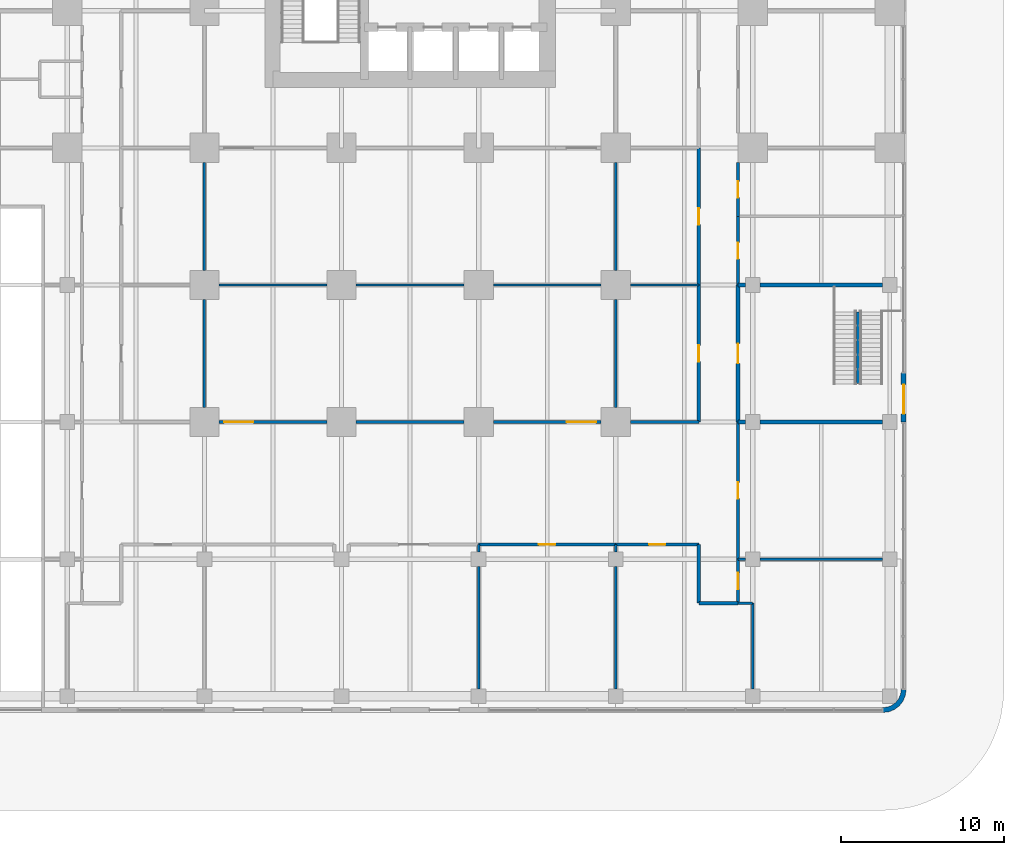
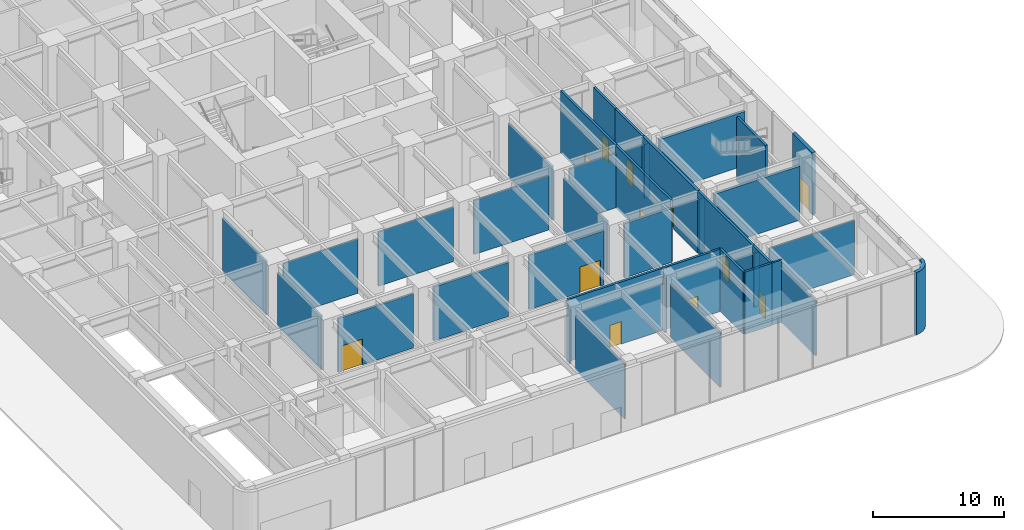
# One storey, part 11 of 21: 38 walls, 12 doors, 12 openings.
"""IFC4 building model written with IfcOpenShell, lengths in metres."""

from ifc_helpers import new_model, si_unit, direction, frame, frame_2d, origin, place, context, subcontext, project, spatial, polyline, rectangle, outline, extrude, material, layer, layer_set, type_object, element, fill, save


model = new_model("IFC4")

# Units and contexts
model_context = context("Model", 3, precision=1e-05, world=origin(), true_north=direction((0.0, 1.0)))
body_context = subcontext(model_context, "Body", "Model", "MODEL_VIEW")
ifc_project = project(units=[si_unit("LENGTHUNIT", "METRE"), si_unit("AREAUNIT", "SQUARE_METRE"), si_unit("VOLUMEUNIT", "CUBIC_METRE"), si_unit("PLANEANGLEUNIT", "RADIAN"), si_unit("MASSUNIT", "GRAM", prefix="KILO")], contexts=[model_context])

# Site, building, storey
site_placement = place(None, origin())
site = spatial("IfcSite", under=ifc_project, at=site_placement, CompositionType="ELEMENT")
building_placement = place(site_placement, origin())
building = spatial("IfcBuilding", under=site, at=building_placement, Name="Torre Alcanfor", CompositionType="ELEMENT")
storey_placement = place(building_placement, origin())
storey = spatial("IfcBuildingStorey", under=building, at=storey_placement, Name="L00", CompositionType="ELEMENT", Elevation=0.0)

# Walls
ifc_material_1 = material(Name="Concrete block masonry, hollow blocks NMX-C-404 9 MPa", Category="masonry")
ifc_layer_1 = layer(ifc_material_1, 0.14990234375)
ifc_layer_set_1 = layer_set([ifc_layer_1], Name="Classroom partition 150")
wall_type_1 = type_object("IfcWallType", Name="Classroom partition 150", PredefinedType="PARTITIONING", material=ifc_layer_set_1)
wall_1_placement = place(storey_placement, frame((49.5, -11.10009765625, 0.0), z_axis=(0.0, 0.0, 1.0), x_axis=(1.0, 0.0, 0.0)))
element("IfcWall", 1, at=wall_1_placement, inside=storey, type_object=wall_type_1, Name="Partition L00-02 / L00-03", PredefinedType="PARTITIONING", context=body_context, shape_type="SweptSolid", body=[
    extrude(rectangle(XDim=0.89990234375, YDim=0.14990234375, at=frame_2d((0.449951171875, 0.0))), origin(), (0.0, 0.0, 1.0), 5.800048828125),
])
wall_2_placement = place(storey_placement, frame((50.39990234375, -11.10009765625, 0.0), z_axis=(0.0, 0.0, 1.0), x_axis=(0.0, -1.0, 0.0)))
element("IfcWall", 2, at=wall_2_placement, inside=storey, type_object=wall_type_1, Name="Partition L00-02 / L00-03", PredefinedType="PARTITIONING", context=body_context, shape_type="SweptSolid", body=[
    extrude(rectangle(XDim=5.25, YDim=0.14990234375, at=frame_2d((2.625, 0.0))), origin(), (0.0, 0.0, 1.0), 5.043212890625),
])
wall_3_placement = place(storey_placement, frame((42.0, -16.35009765625, 0.0), z_axis=(0.0, 0.0, 1.0), x_axis=(0.0, 1.0, 0.0)))
element("IfcWall", 3, at=wall_3_placement, inside=storey, type_object=wall_type_1, Name="Partition L00-02 / L00-06", PredefinedType="PARTITIONING", context=body_context, shape_type="SweptSolid", body=[
    extrude(rectangle(XDim=7.5, YDim=0.14990234375, at=frame_2d((3.75, 0.0))), origin(), (0.0, 0.0, 1.0), 5.043212890625),
])
for number, where, z_axis, x_axis, name in (
    (4, (42.0, -7.949951171875, 0.0), (0.0, 0.0, 1.0), (0.0, 1.0, 0.0), "Partition L00-02 / L00-06"),
    (5, (49.5, -8.39990234375, 0.0), (0.0, 0.0, 1.0), (1.0, 0.0, 0.0), "Partition L00-03 / L00-08"),
):
    element("IfcWall", number, at=place(storey_placement, frame(where, z_axis=z_axis, x_axis=x_axis)), inside=storey, type_object=wall_type_1, Name=name, PredefinedType="PARTITIONING", context=body_context, shape_type="SweptSolid", body=[
        extrude(rectangle(XDim=0.449951171875, YDim=0.14990234375, at=frame_2d((0.22509765625, 0.0))), origin(), (0.0, 0.0, 1.0), 5.043212890625),
    ])
for number, where, z_axis, x_axis, name in (
    (6, (50.85009765625, -8.39990234375, 0.0), (0.0, 0.0, 1.0), (1.0, 0.0, 0.0), "Partition L00-03 / L00-08"),
    (7, (33.60009765625, -8.85009765625, 0.0), (0.0, 0.0, 1.0), (0.0, -1.0, 0.0), "Partition L00-05 / L00-06"),
):
    element("IfcWall", number, at=place(storey_placement, frame(where, z_axis=z_axis, x_axis=x_axis)), inside=storey, type_object=wall_type_1, Name=name, PredefinedType="PARTITIONING", context=body_context, shape_type="SweptSolid", body=[
        extrude(rectangle(XDim=7.5, YDim=0.14990234375, at=frame_2d((3.75, 0.0))), origin(), (0.0, 0.0, 1.0), 5.043212890625),
    ])
wall_4_placement = place(storey_placement, frame((33.60009765625, -7.5, 0.0), z_axis=(0.0, 0.0, 1.0), x_axis=(0.0, -1.0, 0.0)))
element("IfcWall", 8, at=wall_4_placement, inside=storey, type_object=wall_type_1, Name="Partition L00-05 / L00-06", PredefinedType="PARTITIONING", context=body_context, shape_type="SweptSolid", body=[
    extrude(rectangle(XDim=0.449951171875, YDim=0.14990234375, at=frame_2d((0.22509765625, 0.0))), origin(), (0.0, 0.0, 1.0), 5.043212890625),
])
for number, where, z_axis, x_axis, name in (
    (9, (16.800048828125, 7.5, 0.0), (0.0, 0.0, 1.0), (0.0, -1.0, 0.0), "Partition L00-I01 / L00-I02"),
    (10, (42.0, 7.5, 0.0), (0.0, 0.0, 1.0), (0.0, -1.0, 0.0), "Partition L00-I02 / L00-I03"),
    (11, (17.699951171875, 8.39990234375, 0.0), (0.0, 0.0, 1.0), (1.0, 0.0, 0.0), "Partition L00-I02 / L00-I05"),
):
    element("IfcWall", number, at=place(storey_placement, frame(where, z_axis=z_axis, x_axis=x_axis)), inside=storey, type_object=wall_type_1, Name=name, PredefinedType="PARTITIONING", context=body_context, shape_type="SweptSolid", body=[
        extrude(rectangle(XDim=6.60009765625, YDim=0.14990234375, at=frame_2d((3.300048828125, 0.0))), origin(), (0.0, 0.0, 1.0), 5.043212890625),
    ])
wall_5_placement = place(storey_placement, frame((26.10009765625, 8.39990234375, 0.0), z_axis=(0.0, 0.0, 1.0), x_axis=(1.0, 0.0, 0.0)))
element("IfcWall", 12, at=wall_5_placement, inside=storey, type_object=wall_type_1, Name="Partition L00-I02 / L00-I05", PredefinedType="PARTITIONING", context=body_context, shape_type="SweptSolid", body=[
    extrude(rectangle(XDim=6.599853515625, YDim=0.14990234375, at=frame_2d((3.2998046875, 0.0))), origin(), (0.0, 0.0, 1.0), 5.043212890625),
])
wall_6_placement = place(storey_placement, frame((34.5, 8.39990234375, 0.0), z_axis=(0.0, 0.0, 1.0), x_axis=(1.0, 0.0, 0.0)))
element("IfcWall", 13, at=wall_6_placement, inside=storey, type_object=wall_type_1, Name="Partition L00-I02 / L00-I05", PredefinedType="PARTITIONING", context=body_context, shape_type="SweptSolid", body=[
    extrude(rectangle(XDim=6.60009765625, YDim=0.14990234375, at=frame_2d((3.300048828125, 0.0))), origin(), (0.0, 0.0, 1.0), 5.043212890625),
])
wall_7_placement = place(storey_placement, frame((42.89990234375, 8.39990234375, 0.0), z_axis=(0.0, 0.0, 1.0), x_axis=(1.0, 0.0, 0.0)))
element("IfcWall", 14, at=wall_7_placement, inside=storey, type_object=wall_type_1, Name="Partition L00-I03 / L00-I06", PredefinedType="PARTITIONING", context=body_context, shape_type="SweptSolid", body=[
    extrude(rectangle(XDim=4.2001953125, YDim=0.14990234375, at=frame_2d((2.10009765625, 0.0))), origin(), (0.0, 0.0, 1.0), 5.043212890625),
])
for number, where, z_axis, x_axis, name in (
    (15, (16.800048828125, 15.89990234375, 0.0), (0.0, 0.0, 1.0), (0.0, -1.0, 0.0), "Partition L00-I04 / L00-I05"),
    (16, (42.0, 15.89990234375, 0.0), (0.0, 0.0, 1.0), (0.0, -1.0, 0.0), "Partition L00-I05 / L00-I06"),
):
    element("IfcWall", number, at=place(storey_placement, frame(where, z_axis=z_axis, x_axis=x_axis)), inside=storey, type_object=wall_type_1, Name=name, PredefinedType="PARTITIONING", context=body_context, shape_type="SweptSolid", body=[
        extrude(rectangle(XDim=6.599853515625, YDim=0.14990234375, at=frame_2d((3.2998046875, 0.0))), origin(), (0.0, 0.0, 1.0), 5.043212890625),
    ])

# Wall, opening, door
ifc_material_2 = material(Name="Limestone cladding", Category="masonry")
ifc_layer_2 = layer(ifc_material_2, 0.0400390625, Name="Facing")
ifc_material_3 = material(Name="Ventilated air cavity")
ifc_layer_3 = layer(ifc_material_3, 0.02001953125, ventilated=True, Name="Ventilated joint")
ifc_material_4 = material(Name="Mineral wool insulation", Category="insulation")
ifc_layer_4 = layer(ifc_material_4, 0.10009765625, Name="Insulation")
ifc_material_5 = material(Name="Concrete f'c 35 MPa", Category="concrete")
ifc_layer_5 = layer(ifc_material_5, 0.139892578125, Name="Backing")
ifc_layer_set_2 = layer_set([ifc_layer_2, ifc_layer_3, ifc_layer_4, ifc_layer_5], Name="External wall stone-clad 300")
wall_type_2 = type_object("IfcWallType", Name="External wall stone-clad 300", PredefinedType="SOLIDWALL", material=ifc_layer_set_2)
wall_8_placement = place(storey_placement, frame((59.64990234375, 0.0, 0.0), z_axis=(0.0, 0.0, 1.0), x_axis=(0.0, 1.0, 0.0)))
wall_8 = element("IfcWall", 17, at=wall_8_placement, inside=storey, type_object=wall_type_2, Name="External wall L00 E 2", PredefinedType="SOLIDWALL", context=body_context, shape_type="SweptSolid", body=[
    extrude(rectangle(XDim=3.0, YDim=0.300048828125, at=frame_2d((1.5, 0.0))), origin(), (0.0, 0.0, 1.0), 5.800048828125),
])
opening_1_placement = place(wall_8_placement, frame((0.5, 0.0, 0.0)))
opening_1 = element("IfcOpeningElement", 18, at=opening_1_placement, cuts=wall_8, Name="Opening D-X1", PredefinedType="OPENING", context=body_context, shape_type="SweptSolid", body=[
    extrude(rectangle(XDim=1.800048828125, YDim=2.39990234375, at=frame_2d((0.89990234375, 1.199951171875))), frame((0.0, 0.159912109375, 0.0), z_axis=(0.0, -1.0, 0.0), x_axis=(1.0, 0.0, 0.0)), (0.0, 0.0, 1.0), 0.320068359375),
])
ifc_material_6 = material(Name="Galvanised steel sheet ASTM A653", Category="steel")
door_type_1 = type_object("IfcDoorType", Name="Exit discharge door steel double 1800x2400", OperationType="DOUBLE_DOOR_SINGLE_SWING", PredefinedType="DOOR", material=ifc_material_6)
door_1_placement = place(opening_1_placement, frame((1.800048828125, 0.0, 0.0), z_axis=(0.0, 0.0, 1.0), x_axis=(-1.0, 0.0, 0.0)))
door_1 = element("IfcDoor", 19, at=door_1_placement, inside=storey, type_object=door_type_1, Name="Exit door E 1", OperationType="DOUBLE_DOOR_SINGLE_SWING", OverallHeight=2.39990234375, OverallWidth=1.800048828125, PredefinedType="DOOR", context=body_context, shape_type="SweptSolid", body=[
    extrude(rectangle(XDim=1.800048828125, YDim=2.39990234375, at=frame_2d((0.900146484375, 1.199951171875))), frame((0.0, 0.025146484375, 0.0), z_axis=(0.0, -1.0, 0.0), x_axis=(1.0, 0.0, 0.0)), (0.0, 0.0, 1.0), 0.050048828125),
])
fill(opening_1, door_1)

# Wall
ifc_layer_6 = layer(ifc_material_2, 0.0400390625, Name="Facing")
ifc_layer_7 = layer(ifc_material_3, 0.02001953125, ventilated=True, Name="Ventilated joint")
ifc_layer_8 = layer(ifc_material_4, 0.10009765625, Name="Insulation")
ifc_layer_9 = layer(ifc_material_5, 0.139892578125, Name="Backing")
ifc_layer_set_3 = layer_set([ifc_layer_6, ifc_layer_7, ifc_layer_8, ifc_layer_9], Name="Rounded corner pier stone-clad 300")
wall_type_3 = type_object("IfcWallType", Name="Rounded corner pier stone-clad 300", PredefinedType="SOLIDWALL", material=ifc_layer_set_3)
wall_9_placement = place(storey_placement, frame((58.355188981, -17.647901787, 0.0), z_axis=(0.0, 0.0, 1.0), x_axis=(0.707106781187, -0.707106781187, 0.0)))
element("IfcWall", 20, at=wall_9_placement, inside=storey, type_object=wall_type_3, Name="Corner pier L00 8", PredefinedType="SOLIDWALL", context=body_context, shape_type="SweptSolid", body=[
    extrude(outline(polyline([(0.13920132652713757, 1.9041390650053573), (-0.10075922665872694, 1.7197664960826933), (-0.08677591384717653, 1.705783183271143), (0.09966825697349524, 1.462715227238267), (0.20929052407639015, 1.1980680847678138), (0.2464067247490238, 0.9140859912492905), (0.20929052407639015, 0.6301038977307674), (0.09966825697349518, 0.3654567552603139), (-0.08677591384717653, 0.12238879922743817), (-0.10075922665872691, 0.10840548641588779), (0.13920132652713763, -0.07596708250677647), (0.3615532635799387, 0.21405718321426842), (0.5015590251869432, 0.5519009260809856), (0.5492058688411148, 0.9140859912492905), (0.5015590251869431, 1.2762710564175954), (0.3615532635799388, 1.6141147992843126), (0.13920132652713757, 1.9041390650053573)])), origin(), (0.0, 0.0, 1.0), 5.800048828125),
])

# Wall, opening, door
ifc_material_7 = material(Name="Concrete block masonry, hollow blocks NMX-C-404 9 MPa", Category="masonry")
ifc_layer_10 = layer(ifc_material_7, 0.199951171875)
ifc_layer_set_4 = layer_set([ifc_layer_10], Name="School corridor wall 200")
wall_type_4 = type_object("IfcWallType", Name="School corridor wall 200", PredefinedType="PARTITIONING", material=ifc_layer_set_4)
wall_10_placement = place(storey_placement, frame((42.0, -7.5, 0.0), z_axis=(0.0, 0.0, 1.0), x_axis=(1.0, 0.0, 0.0)))
wall_10 = element("IfcWall", 21, at=wall_10_placement, inside=storey, type_object=wall_type_4, Name="Partition L00-02 / L00-CORR", PredefinedType="PARTITIONING", context=body_context, shape_type="SweptSolid", body=[
    extrude(rectangle(XDim=5.10009765625, YDim=0.199951171875, at=frame_2d((2.550048828125, 0.0))), origin(), (0.0, 0.0, 1.0), 5.800048828125),
])
opening_2_placement = place(wall_10_placement, frame((2.050048828125, 0.0, 0.0)))
opening_2 = element("IfcOpeningElement", 22, at=opening_2_placement, cuts=wall_10, Name="Opening D-C1", PredefinedType="OPENING", context=body_context, shape_type="SweptSolid", body=[
    extrude(rectangle(XDim=1.0, YDim=2.10009765625, at=frame_2d((0.5, 1.050048828125))), frame((0.0, 0.10986328125, 0.0), z_axis=(0.0, -1.0, 0.0), x_axis=(1.0, 0.0, 0.0)), (0.0, 0.0, 1.0), 0.219970703125),
])
ifc_material_8 = material(Name="Timber", Category="wood")
door_type_2 = type_object("IfcDoorType", Name="Classroom door 1000x2100", OperationType="SINGLE_SWING_RIGHT", PredefinedType="DOOR", material=ifc_material_8)
door_2_placement = place(opening_2_placement, frame((1.0, 0.0, 0.0), z_axis=(0.0, 0.0, 1.0), x_axis=(-1.0, 0.0, 0.0)))
door_2 = element("IfcDoor", 23, at=door_2_placement, inside=storey, type_object=door_type_2, Name="Door L00-02 meeting room", OperationType="SINGLE_SWING_RIGHT", OverallHeight=2.10009765625, OverallWidth=1.0, PredefinedType="DOOR", context=body_context, shape_type="SweptSolid", body=[
    extrude(rectangle(XDim=1.0, YDim=2.10009765625, at=frame_2d((0.5, 1.050048828125))), frame((0.0, 0.025146484375, 0.0), z_axis=(0.0, -1.0, 0.0), x_axis=(1.0, 0.0, 0.0)), (0.0, 0.0, 1.0), 0.050048828125),
])
fill(opening_2, door_2)

# Walls
wall_11_placement = place(storey_placement, frame((47.10009765625, -7.5, 0.0), z_axis=(0.0, 0.0, 1.0), x_axis=(0.0, -1.0, 0.0)))
element("IfcWall", 24, at=wall_11_placement, inside=storey, type_object=wall_type_4, Name="Partition L00-02 / L00-CORR", PredefinedType="PARTITIONING", context=body_context, shape_type="SweptSolid", body=[
    extrude(rectangle(XDim=3.60009765625, YDim=0.199951171875, at=frame_2d((1.800048828125, 0.0))), origin(), (0.0, 0.0, 1.0), 5.800048828125),
])
wall_12_placement = place(storey_placement, frame((47.10009765625, -11.10009765625, 0.0), z_axis=(0.0, 0.0, 1.0), x_axis=(1.0, 0.0, 0.0)))
element("IfcWall", 25, at=wall_12_placement, inside=storey, type_object=wall_type_4, Name="Partition L00-02 / L00-CORR", PredefinedType="PARTITIONING", context=body_context, shape_type="SweptSolid", body=[
    extrude(rectangle(XDim=2.39990234375, YDim=0.199951171875, at=frame_2d((1.199951171875, 0.0))), origin(), (0.0, 0.0, 1.0), 5.800048828125),
])

# Wall, opening, door
wall_13_placement = place(storey_placement, frame((49.5, -11.10009765625, 0.0), z_axis=(0.0, 0.0, 1.0), x_axis=(0.0, 1.0, 0.0)))
wall_13 = element("IfcWall", 26, at=wall_13_placement, inside=storey, type_object=wall_type_4, Name="Partition L00-03 / L00-CORR", PredefinedType="PARTITIONING", context=body_context, shape_type="SweptSolid", body=[
    extrude(rectangle(XDim=2.7001953125, YDim=0.199951171875, at=frame_2d((1.35009765625, 0.0))), origin(), (0.0, 0.0, 1.0), 5.800048828125),
])
opening_3_placement = place(wall_13_placement, frame((0.85009765625, 0.0, 0.0)))
opening_3 = element("IfcOpeningElement", 27, at=opening_3_placement, cuts=wall_13, Name="Opening D-C1", PredefinedType="OPENING", context=body_context, shape_type="SweptSolid", body=[
    extrude(rectangle(XDim=1.0, YDim=2.10009765625, at=frame_2d((0.5, 1.050048828125))), frame((0.0, 0.10986328125, 0.0), z_axis=(0.0, -1.0, 0.0), x_axis=(1.0, 0.0, 0.0)), (0.0, 0.0, 1.0), 0.219970703125),
])
door_3_placement = place(opening_3_placement, frame((1.0, 0.0, 0.0), z_axis=(0.0, 0.0, 1.0), x_axis=(-1.0, 0.0, 0.0)))
door_3 = element("IfcDoor", 28, at=door_3_placement, inside=storey, type_object=door_type_2, Name="Door L00-03 staff room", OperationType="SINGLE_SWING_RIGHT", OverallHeight=2.10009765625, OverallWidth=1.0, PredefinedType="DOOR", context=body_context, shape_type="SweptSolid", body=[
    extrude(rectangle(XDim=1.0, YDim=2.10009765625, at=frame_2d((0.5, 1.050048828125))), frame((0.0, 0.025146484375, 0.0), z_axis=(0.0, -1.0, 0.0), x_axis=(1.0, 0.0, 0.0)), (0.0, 0.0, 1.0), 0.050048828125),
])
fill(opening_3, door_3)

wall_14_placement = place(storey_placement, frame((33.60009765625, -7.5, 0.0), z_axis=(0.0, 0.0, 1.0), x_axis=(1.0, 0.0, 0.0)))
wall_14 = element("IfcWall", 29, at=wall_14_placement, inside=storey, type_object=wall_type_4, Name="Partition L00-06 / L00-CORR", PredefinedType="PARTITIONING", context=body_context, shape_type="SweptSolid", body=[
    extrude(rectangle(XDim=8.39990234375, YDim=0.199951171875, at=frame_2d((4.199951171875, 0.0))), origin(), (0.0, 0.0, 1.0), 5.800048828125),
])
opening_4_placement = place(wall_14_placement, frame((3.699951171875, 0.0, 0.0)))
opening_4 = element("IfcOpeningElement", 30, at=opening_4_placement, cuts=wall_14, Name="Opening D-C1", PredefinedType="OPENING", context=body_context, shape_type="SweptSolid", body=[
    extrude(rectangle(XDim=1.0, YDim=2.10009765625, at=frame_2d((0.5, 1.050048828125))), frame((0.0, 0.10986328125, 0.0), z_axis=(0.0, -1.0, 0.0), x_axis=(1.0, 0.0, 0.0)), (0.0, 0.0, 1.0), 0.219970703125),
])
door_4_placement = place(opening_4_placement, frame((1.0, 0.0, 0.0), z_axis=(0.0, 0.0, 1.0), x_axis=(-1.0, 0.0, 0.0)))
door_4 = element("IfcDoor", 31, at=door_4_placement, inside=storey, type_object=door_type_2, Name="Door L00-06 head teacher's office", OperationType="SINGLE_SWING_RIGHT", OverallHeight=2.10009765625, OverallWidth=1.0, PredefinedType="DOOR", context=body_context, shape_type="SweptSolid", body=[
    extrude(rectangle(XDim=1.0, YDim=2.10009765625, at=frame_2d((0.5, 1.050048828125))), frame((0.0, 0.025146484375, 0.0), z_axis=(0.0, -1.0, 0.0), x_axis=(1.0, 0.0, 0.0)), (0.0, 0.0, 1.0), 0.050048828125),
])
fill(opening_4, door_4)

wall_15_placement = place(storey_placement, frame((49.5, -8.39990234375, 0.0), z_axis=(0.0, 0.0, 1.0), x_axis=(0.0, 1.0, 0.0)))
wall_15 = element("IfcWall", 32, at=wall_15_placement, inside=storey, type_object=wall_type_4, Name="Partition L00-08 / L00-CORR", PredefinedType="PARTITIONING", context=body_context, shape_type="SweptSolid", body=[
    extrude(rectangle(XDim=8.39990234375, YDim=0.199951171875, at=frame_2d((4.199951171875, 0.0))), origin(), (0.0, 0.0, 1.0), 5.800048828125),
])
opening_5_placement = place(wall_15_placement, frame((3.699951171875, 0.0, 0.0)))
opening_5 = element("IfcOpeningElement", 33, at=opening_5_placement, cuts=wall_15, Name="Opening D-C1", PredefinedType="OPENING", context=body_context, shape_type="SweptSolid", body=[
    extrude(rectangle(XDim=1.0, YDim=2.10009765625, at=frame_2d((0.5, 1.050048828125))), frame((0.0, 0.10986328125, 0.0), z_axis=(0.0, -1.0, 0.0), x_axis=(1.0, 0.0, 0.0)), (0.0, 0.0, 1.0), 0.219970703125),
])
door_5_placement = place(opening_5_placement, frame((1.0, 0.0, 0.0), z_axis=(0.0, 0.0, 1.0), x_axis=(-1.0, 0.0, 0.0)))
door_5 = element("IfcDoor", 34, at=door_5_placement, inside=storey, type_object=door_type_2, Name="Door L00-08 school kitchen", OperationType="SINGLE_SWING_RIGHT", OverallHeight=2.10009765625, OverallWidth=1.0, PredefinedType="DOOR", context=body_context, shape_type="SweptSolid", body=[
    extrude(rectangle(XDim=1.0, YDim=2.10009765625, at=frame_2d((0.5, 1.050048828125))), frame((0.0, 0.025146484375, 0.0), z_axis=(0.0, -1.0, 0.0), x_axis=(1.0, 0.0, 0.0)), (0.0, 0.0, 1.0), 0.050048828125),
])
fill(opening_5, door_5)

wall_16_placement = place(storey_placement, frame((49.5, 8.39990234375, 0.0), z_axis=(0.0, 0.0, 1.0), x_axis=(0.0, 1.0, 0.0)))
wall_16 = element("IfcWall", 35, at=wall_16_placement, inside=storey, type_object=wall_type_4, Name="Partition L00-11 / L00-CORR", PredefinedType="PARTITIONING", context=body_context, shape_type="SweptSolid", body=[
    extrude(rectangle(XDim=4.2001953125, YDim=0.199951171875, at=frame_2d((2.10009765625, 0.0))), origin(), (0.0, 0.0, 1.0), 5.800048828125),
])
opening_6_placement = place(wall_16_placement, frame((1.60009765625, 0.0, 0.0)))
opening_6 = element("IfcOpeningElement", 36, at=opening_6_placement, cuts=wall_16, Name="Opening D-C1", PredefinedType="OPENING", context=body_context, shape_type="SweptSolid", body=[
    extrude(rectangle(XDim=1.0, YDim=2.10009765625, at=frame_2d((0.5, 1.050048828125))), frame((0.0, 0.10986328125, 0.0), z_axis=(0.0, -1.0, 0.0), x_axis=(1.0, 0.0, 0.0)), (0.0, 0.0, 1.0), 0.219970703125),
])
door_6_placement = place(opening_6_placement, frame((1.0, 0.0, 0.0), z_axis=(0.0, 0.0, 1.0), x_axis=(-1.0, 0.0, 0.0)))
door_6 = element("IfcDoor", 37, at=door_6_placement, inside=storey, type_object=door_type_2, Name="Door L00-11 kitchen store", OperationType="SINGLE_SWING_RIGHT", OverallHeight=2.10009765625, OverallWidth=1.0, PredefinedType="DOOR", context=body_context, shape_type="SweptSolid", body=[
    extrude(rectangle(XDim=1.0, YDim=2.10009765625, at=frame_2d((0.5, 1.050048828125))), frame((0.0, 0.025146484375, 0.0), z_axis=(0.0, -1.0, 0.0), x_axis=(1.0, 0.0, 0.0)), (0.0, 0.0, 1.0), 0.050048828125),
])
fill(opening_6, door_6)

wall_17_placement = place(storey_placement, frame((49.5, 12.60009765625, 0.0), z_axis=(0.0, 0.0, 1.0), x_axis=(0.0, 1.0, 0.0)))
wall_17 = element("IfcWall", 38, at=wall_17_placement, inside=storey, type_object=wall_type_4, Name="Partition L00-13 / L00-CORR", PredefinedType="PARTITIONING", context=body_context, shape_type="SweptSolid", body=[
    extrude(rectangle(XDim=3.2998046875, YDim=0.199951171875, at=frame_2d((1.64990234375, 0.0))), origin(), (0.0, 0.0, 1.0), 5.800048828125),
])
opening_7_placement = place(wall_17_placement, frame((1.14990234375, 0.0, 0.0)))
opening_7 = element("IfcOpeningElement", 39, at=opening_7_placement, cuts=wall_17, Name="Opening D-C1", PredefinedType="OPENING", context=body_context, shape_type="SweptSolid", body=[
    extrude(rectangle(XDim=1.0, YDim=2.10009765625, at=frame_2d((0.5, 1.050048828125))), frame((0.0, 0.10986328125, 0.0), z_axis=(0.0, -1.0, 0.0), x_axis=(1.0, 0.0, 0.0)), (0.0, 0.0, 1.0), 0.219970703125),
])
door_7_placement = place(opening_7_placement, frame((1.0, 0.0, 0.0), z_axis=(0.0, 0.0, 1.0), x_axis=(-1.0, 0.0, 0.0)))
door_7 = element("IfcDoor", 40, at=door_7_placement, inside=storey, type_object=door_type_2, Name="Door L00-13 cleaners' store", OperationType="SINGLE_SWING_RIGHT", OverallHeight=2.10009765625, OverallWidth=1.0, PredefinedType="DOOR", context=body_context, shape_type="SweptSolid", body=[
    extrude(rectangle(XDim=1.0, YDim=2.10009765625, at=frame_2d((0.5, 1.050048828125))), frame((0.0, 0.025146484375, 0.0), z_axis=(0.0, -1.0, 0.0), x_axis=(1.0, 0.0, 0.0)), (0.0, 0.0, 1.0), 0.050048828125),
])
fill(opening_7, door_7)

wall_18_placement = place(storey_placement, frame((17.699951171875, 0.0, 0.0), z_axis=(0.0, 0.0, 1.0), x_axis=(1.0, 0.0, 0.0)))
wall_18 = element("IfcWall", 41, at=wall_18_placement, inside=storey, type_object=wall_type_4, Name="Partition L00-CORR / L00-I02", PredefinedType="PARTITIONING", context=body_context, shape_type="SweptSolid", body=[
    extrude(rectangle(XDim=6.60009765625, YDim=0.199951171875, at=frame_2d((3.300048828125, 0.0))), origin(), (0.0, 0.0, 1.0), 5.043212890625),
])
opening_8_placement = place(wall_18_placement, frame((0.300048828125, 0.0, 0.0)))
opening_8 = element("IfcOpeningElement", 42, at=opening_8_placement, cuts=wall_18, Name="Opening D-C2", PredefinedType="OPENING", context=body_context, shape_type="SweptSolid", body=[
    extrude(rectangle(XDim=1.800048828125, YDim=2.39990234375, at=frame_2d((0.89990234375, 1.199951171875))), frame((0.0, 0.10986328125, 0.0), z_axis=(0.0, -1.0, 0.0), x_axis=(1.0, 0.0, 0.0)), (0.0, 0.0, 1.0), 0.219970703125),
])
ifc_material_9 = material(Name="Timber", Category="wood")
door_type_3 = type_object("IfcDoorType", Name="Double door 1800x2400", OperationType="DOUBLE_DOOR_SINGLE_SWING", PredefinedType="DOOR", material=ifc_material_9)
door_8_placement = place(opening_8_placement, frame((1.800048828125, 0.0, 0.0), z_axis=(0.0, 0.0, 1.0), x_axis=(-1.0, 0.0, 0.0)))
door_8 = element("IfcDoor", 43, at=door_8_placement, inside=storey, type_object=door_type_3, Name="Door L00-I02 dining hall", OperationType="DOUBLE_DOOR_SINGLE_SWING", OverallHeight=2.39990234375, OverallWidth=1.800048828125, PredefinedType="DOOR", context=body_context, shape_type="SweptSolid", body=[
    extrude(rectangle(XDim=1.800048828125, YDim=2.39990234375, at=frame_2d((0.900146484375, 1.199951171875))), frame((0.0, 0.025146484375, 0.0), z_axis=(0.0, -1.0, 0.0), x_axis=(1.0, 0.0, 0.0)), (0.0, 0.0, 1.0), 0.050048828125),
])
fill(opening_8, door_8)

# Wall
wall_19_placement = place(storey_placement, frame((26.10009765625, 0.0, 0.0), z_axis=(0.0, 0.0, 1.0), x_axis=(1.0, 0.0, 0.0)))
element("IfcWall", 44, at=wall_19_placement, inside=storey, type_object=wall_type_4, Name="Partition L00-CORR / L00-I02", PredefinedType="PARTITIONING", context=body_context, shape_type="SweptSolid", body=[
    extrude(rectangle(XDim=6.599853515625, YDim=0.199951171875, at=frame_2d((3.2998046875, 0.0))), origin(), (0.0, 0.0, 1.0), 5.043212890625),
])

# Wall, opening, door
wall_20_placement = place(storey_placement, frame((34.5, 0.0, 0.0), z_axis=(0.0, 0.0, 1.0), x_axis=(1.0, 0.0, 0.0)))
wall_20 = element("IfcWall", 45, at=wall_20_placement, inside=storey, type_object=wall_type_4, Name="Partition L00-CORR / L00-I02", PredefinedType="PARTITIONING", context=body_context, shape_type="SweptSolid", body=[
    extrude(rectangle(XDim=6.60009765625, YDim=0.199951171875, at=frame_2d((3.300048828125, 0.0))), origin(), (0.0, 0.0, 1.0), 5.043212890625),
])
opening_9_placement = place(wall_20_placement, frame((4.5, 0.0, 0.0)))
opening_9 = element("IfcOpeningElement", 46, at=opening_9_placement, cuts=wall_20, Name="Opening D-C2", PredefinedType="OPENING", context=body_context, shape_type="SweptSolid", body=[
    extrude(rectangle(XDim=1.800048828125, YDim=2.39990234375, at=frame_2d((0.89990234375, 1.199951171875))), frame((0.0, 0.10986328125, 0.0), z_axis=(0.0, -1.0, 0.0), x_axis=(1.0, 0.0, 0.0)), (0.0, 0.0, 1.0), 0.219970703125),
])
door_9_placement = place(opening_9_placement, frame((1.800048828125, 0.0, 0.0), z_axis=(0.0, 0.0, 1.0), x_axis=(-1.0, 0.0, 0.0)))
door_9 = element("IfcDoor", 47, at=door_9_placement, inside=storey, type_object=door_type_3, Name="Door L00-I02 dining hall second exit", OperationType="DOUBLE_DOOR_SINGLE_SWING", OverallHeight=2.39990234375, OverallWidth=1.800048828125, PredefinedType="DOOR", context=body_context, shape_type="SweptSolid", body=[
    extrude(rectangle(XDim=1.800048828125, YDim=2.39990234375, at=frame_2d((0.900146484375, 1.199951171875))), frame((0.0, 0.025146484375, 0.0), z_axis=(0.0, -1.0, 0.0), x_axis=(1.0, 0.0, 0.0)), (0.0, 0.0, 1.0), 0.050048828125),
])
fill(opening_9, door_9)

# Wall
wall_21_placement = place(storey_placement, frame((42.89990234375, 0.0, 0.0), z_axis=(0.0, 0.0, 1.0), x_axis=(1.0, 0.0, 0.0)))
element("IfcWall", 48, at=wall_21_placement, inside=storey, type_object=wall_type_4, Name="Partition L00-CORR / L00-I03", PredefinedType="PARTITIONING", context=body_context, shape_type="SweptSolid", body=[
    extrude(rectangle(XDim=4.2001953125, YDim=0.199951171875, at=frame_2d((2.10009765625, 0.0))), origin(), (0.0, 0.0, 1.0), 5.043212890625),
])

# Wall, opening, door
wall_22_placement = place(storey_placement, frame((47.10009765625, 0.0, 0.0), z_axis=(0.0, 0.0, 1.0), x_axis=(0.0, 1.0, 0.0)))
wall_22 = element("IfcWall", 49, at=wall_22_placement, inside=storey, type_object=wall_type_4, Name="Partition L00-CORR / L00-I03", PredefinedType="PARTITIONING", context=body_context, shape_type="SweptSolid", body=[
    extrude(rectangle(XDim=8.39990234375, YDim=0.199951171875, at=frame_2d((4.199951171875, 0.0))), origin(), (0.0, 0.0, 1.0), 5.800048828125),
])
opening_10_placement = place(wall_22_placement, frame((3.699951171875, 0.0, 0.0)))
opening_10 = element("IfcOpeningElement", 50, at=opening_10_placement, cuts=wall_22, Name="Opening D-C1", PredefinedType="OPENING", context=body_context, shape_type="SweptSolid", body=[
    extrude(rectangle(XDim=1.0, YDim=2.10009765625, at=frame_2d((0.5, 1.050048828125))), frame((0.0, 0.10986328125, 0.0), z_axis=(0.0, -1.0, 0.0), x_axis=(1.0, 0.0, 0.0)), (0.0, 0.0, 1.0), 0.219970703125),
])
door_10_placement = place(opening_10_placement, origin())
door_10 = element("IfcDoor", 51, at=door_10_placement, inside=storey, type_object=door_type_2, Name="Door L00-I03 servery", OperationType="SINGLE_SWING_LEFT", OverallHeight=2.10009765625, OverallWidth=1.0, PredefinedType="DOOR", context=body_context, shape_type="SweptSolid", body=[
    extrude(rectangle(XDim=1.0, YDim=2.10009765625, at=frame_2d((0.5, 1.050048828125))), frame((0.0, 0.02490234375, 0.0), z_axis=(0.0, -1.0, 0.0), x_axis=(1.0, 0.0, 0.0)), (0.0, 0.0, 1.0), 0.050048828125),
])
fill(opening_10, door_10)

wall_23_placement = place(storey_placement, frame((47.10009765625, 8.39990234375, 0.0), z_axis=(0.0, 0.0, 1.0), x_axis=(0.0, 1.0, 0.0)))
wall_23 = element("IfcWall", 52, at=wall_23_placement, inside=storey, type_object=wall_type_4, Name="Partition L00-CORR / L00-I06", PredefinedType="PARTITIONING", context=body_context, shape_type="SweptSolid", body=[
    extrude(rectangle(XDim=8.400146484375, YDim=0.199951171875, at=frame_2d((4.2001953125, 0.0))), origin(), (0.0, 0.0, 1.0), 5.800048828125),
])
opening_11_placement = place(wall_23_placement, frame((3.699951171875, 0.0, 0.0)))
opening_11 = element("IfcOpeningElement", 53, at=opening_11_placement, cuts=wall_23, Name="Opening D-C1", PredefinedType="OPENING", context=body_context, shape_type="SweptSolid", body=[
    extrude(rectangle(XDim=1.0, YDim=2.10009765625, at=frame_2d((0.5, 1.050048828125))), frame((0.0, 0.10986328125, 0.0), z_axis=(0.0, -1.0, 0.0), x_axis=(1.0, 0.0, 0.0)), (0.0, 0.0, 1.0), 0.219970703125),
])
door_11_placement = place(opening_11_placement, origin())
door_11 = element("IfcDoor", 54, at=door_11_placement, inside=storey, type_object=door_type_2, Name="Door L00-I06 chair store", OperationType="SINGLE_SWING_LEFT", OverallHeight=2.10009765625, OverallWidth=1.0, PredefinedType="DOOR", context=body_context, shape_type="SweptSolid", body=[
    extrude(rectangle(XDim=1.0, YDim=2.10009765625, at=frame_2d((0.5, 1.050048828125))), frame((0.0, 0.02490234375, 0.0), z_axis=(0.0, -1.0, 0.0), x_axis=(1.0, 0.0, 0.0)), (0.0, 0.0, 1.0), 0.050048828125),
])
fill(opening_11, door_11)

# Walls
ifc_material_10 = material(Name="Reinforced concrete block masonry, hollow blocks NMX-C-404 9 MPa", Category="masonry")
ifc_layer_11 = layer(ifc_material_10, 0.25)
ifc_layer_set_5 = layer_set([ifc_layer_11], Name="Stair enclosure wall 250 EI 120")
wall_type_5 = type_object("IfcWallType", Name="Stair enclosure wall 250 EI 120", PredefinedType="SOLIDWALL", material=ifc_layer_set_5)
wall_24_placement = place(storey_placement, frame((49.949951171875, 0.0, 0.0), z_axis=(0.0, 0.0, 1.0), x_axis=(-1.0, 0.0, 0.0)))
element("IfcWall", 55, at=wall_24_placement, inside=storey, type_object=wall_type_5, Name="Partition L00-SS3 / L00-08", PredefinedType="SOLIDWALL", context=body_context, shape_type="SweptSolid", body=[
    extrude(rectangle(XDim=0.449951171875, YDim=0.25, at=frame_2d((0.22509765625, 0.0))), origin(), (0.0, 0.0, 1.0), 5.043212890625),
])
wall_25_placement = place(storey_placement, frame((58.35009765625, 0.0, 0.0), z_axis=(0.0, 0.0, 1.0), x_axis=(-1.0, 0.0, 0.0)))
element("IfcWall", 56, at=wall_25_placement, inside=storey, type_object=wall_type_5, Name="Partition L00-SS3 / L00-08", PredefinedType="SOLIDWALL", context=body_context, shape_type="SweptSolid", body=[
    extrude(rectangle(XDim=7.5, YDim=0.25, at=frame_2d((3.75, 0.0))), origin(), (0.0, 0.0, 1.0), 5.043212890625),
])
wall_26_placement = place(storey_placement, frame((49.5, 8.39990234375, 0.0), z_axis=(0.0, 0.0, 1.0), x_axis=(1.0, 0.0, 0.0)))
element("IfcWall", 57, at=wall_26_placement, inside=storey, type_object=wall_type_5, Name="Partition L00-SS3 / L00-11", PredefinedType="SOLIDWALL", context=body_context, shape_type="SweptSolid", body=[
    extrude(rectangle(XDim=0.449951171875, YDim=0.25, at=frame_2d((0.22509765625, 0.0))), origin(), (0.0, 0.0, 1.0), 5.043212890625),
])
wall_27_placement = place(storey_placement, frame((50.85009765625, 8.39990234375, 0.0), z_axis=(0.0, 0.0, 1.0), x_axis=(1.0, 0.0, 0.0)))
element("IfcWall", 58, at=wall_27_placement, inside=storey, type_object=wall_type_5, Name="Partition L00-SS3 / L00-11", PredefinedType="SOLIDWALL", context=body_context, shape_type="SweptSolid", body=[
    extrude(rectangle(XDim=7.5, YDim=0.25, at=frame_2d((3.75, 0.0))), origin(), (0.0, 0.0, 1.0), 5.043212890625),
])

# Wall, opening, door
wall_28_placement = place(storey_placement, frame((49.5, 0.0, 0.0), z_axis=(0.0, 0.0, 1.0), x_axis=(0.0, 1.0, 0.0)))
wall_28 = element("IfcWall", 59, at=wall_28_placement, inside=storey, type_object=wall_type_5, Name="Partition L00-SS3 / L00-CORR", PredefinedType="SOLIDWALL", context=body_context, shape_type="SweptSolid", body=[
    extrude(rectangle(XDim=8.39990234375, YDim=0.25, at=frame_2d((4.199951171875, 0.0))), origin(), (0.0, 0.0, 1.0), 5.800048828125),
])
opening_12_placement = place(wall_28_placement, frame((3.60009765625, 0.0, 0.0)))
opening_12 = element("IfcOpeningElement", 60, at=opening_12_placement, cuts=wall_28, Name="Opening D-L1", PredefinedType="OPENING", context=body_context, shape_type="SweptSolid", body=[
    extrude(rectangle(XDim=1.199951171875, YDim=2.10009765625, at=frame_2d((0.60009765625, 1.050048828125))), frame((0.0, 0.135009765625, 0.0), z_axis=(0.0, -1.0, 0.0), x_axis=(1.0, 0.0, 0.0)), (0.0, 0.0, 1.0), 0.27001953125),
])
ifc_material_11 = material(Name="Galvanised steel sheet ASTM A653", Category="steel")
door_type_4 = type_object("IfcDoorType", Name="Lobby door FD120 1200x2100", OperationType="SINGLE_SWING_LEFT", PredefinedType="DOOR", material=ifc_material_11)
door_12_placement = place(opening_12_placement, origin())
door_12 = element("IfcDoor", 61, at=door_12_placement, inside=storey, type_object=door_type_4, Name="Door L00-SS3 school stair ss3", OperationType="SINGLE_SWING_LEFT", OverallHeight=2.10009765625, OverallWidth=1.199951171875, PredefinedType="DOOR", context=body_context, shape_type="SweptSolid", body=[
    extrude(rectangle(XDim=1.199951171875, YDim=2.10009765625, at=frame_2d((0.60009765625, 1.050048828125))), frame((0.0, 0.02490234375, 0.0), z_axis=(0.0, -1.0, 0.0), x_axis=(1.0, 0.0, 0.0)), (0.0, 0.0, 1.0), 0.050048828125),
])
fill(opening_12, door_12)

# Wall
ifc_material_12 = material(Name="Concrete f'c 35 MPa", Category="concrete")
ifc_layer_12 = layer(ifc_material_12, 0.199951171875)
ifc_layer_set_6 = layer_set([ifc_layer_12], Name="Stair spine wall 200")
wall_type_6 = type_object("IfcWallType", Name="Stair spine wall 200", PredefinedType="SOLIDWALL", material=ifc_layer_set_6)
wall_29_placement = place(storey_placement, frame((56.85009765625, 2.375, 0.0), z_axis=(0.0, 0.0, 1.0), x_axis=(0.0, 1.0, 0.0)))
element("IfcWall", 62, at=wall_29_placement, inside=storey, type_object=wall_type_6, Name="Stair spine wall SS3 L00", PredefinedType="SOLIDWALL", context=body_context, shape_type="SweptSolid", body=[
    extrude(rectangle(XDim=4.3798828125, YDim=0.199951171875, at=frame_2d((2.18994140625, 0.0))), origin(), (0.0, 0.0, 1.0), 6.0),
])

save(model, "model.ifc")
